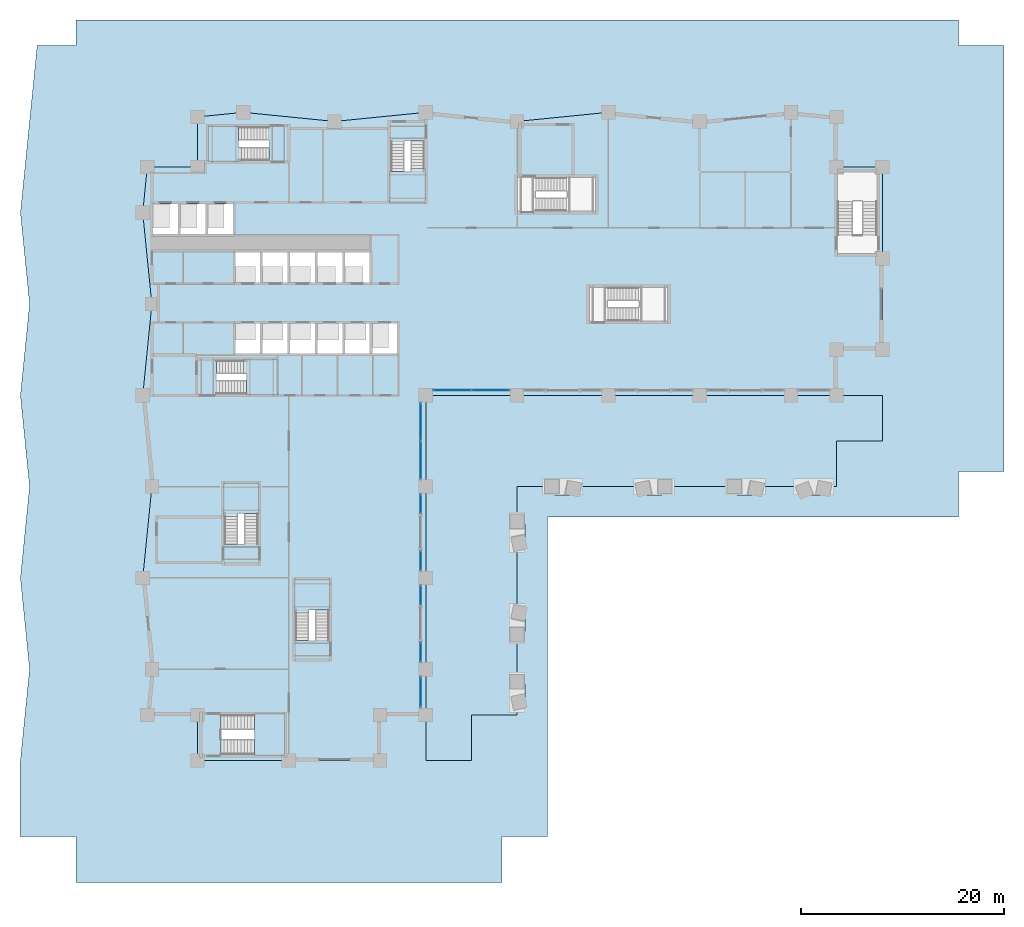
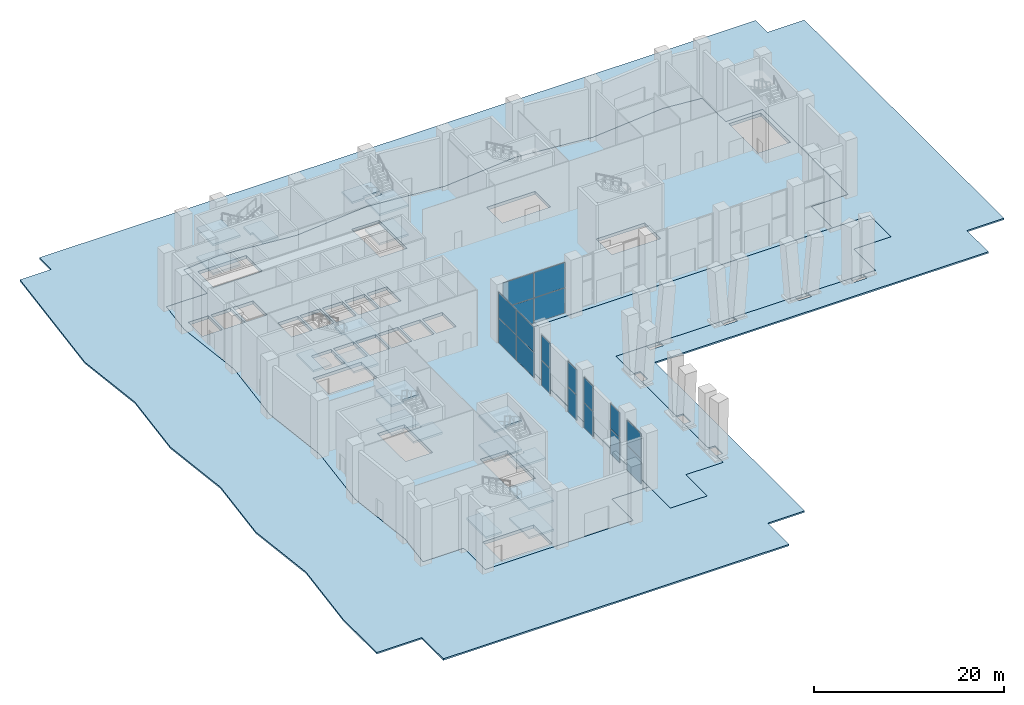
# One storey, part 5 of 16: 21 slabs, 18 plates, 13 elements without a shape of their own.
"""IFC4 building model written with IfcOpenShell, lengths in metres."""

from ifc_helpers import new_model, si_unit, direction, frame, origin, origin_2d, place, context, subcontext, project, spatial, polyline, rectangle, outline, extrude, material, layer, layer_set, type_object, element, aggregate, save


model = new_model("IFC4")

# Units and contexts
model_context = context("Model", 3, precision=1e-05, world=origin(), true_north=direction((0.0, 1.0)))
body_context = subcontext(model_context, "Body", "Model", "MODEL_VIEW")
ifc_project = project(units=[si_unit("LENGTHUNIT", "METRE"), si_unit("AREAUNIT", "SQUARE_METRE"), si_unit("VOLUMEUNIT", "CUBIC_METRE"), si_unit("PLANEANGLEUNIT", "RADIAN"), si_unit("MASSUNIT", "GRAM", prefix="KILO")], contexts=[model_context])

# Site, building, storey
site_placement = place(None, origin())
site = spatial("IfcSite", under=ifc_project, at=site_placement, CompositionType="ELEMENT")
building_placement = place(site_placement, origin())
building = spatial("IfcBuilding", under=site, at=building_placement, Name="Brondeck Convention Tower", CompositionType="ELEMENT")
storey_placement = place(building_placement, origin())
storey = spatial("IfcBuildingStorey", under=building, at=storey_placement, Name="L00", CompositionType="ELEMENT", Elevation=0.0)

# Slab
ifc_material_1 = material(Name="Concrete C40/50", Category="concrete")
ifc_layer_1 = layer(ifc_material_1, 0.39990234375)
ifc_layer_set_1 = layer_set([ifc_layer_1], Name="Arcade deck 400")
slab_type_1 = type_object("IfcSlabType", Name="Arcade deck 400", PredefinedType="FLOOR", material=ifc_layer_set_1)
slab_1_placement = place(storey_placement, frame((0.0, 0.0, -0.39990234375)))
element("IfcSlab", 1, at=slab_1_placement, inside=storey, type_object=slab_type_1, Name="STR-SL-ARC", PredefinedType="FLOOR", context=body_context, shape_type="SweptSolid", body=[
    extrude(outline(polyline([(36.0, 27.0), (36.0, 4.5), (31.5, 4.5), (31.5, 0.0), (27.0, 0.0), (27.0, 4.489990234375), (27.0009765625, 4.489990234375), (27.001953125, 4.490234375), (27.0029296875, 4.490478515625), (27.00390625, 4.49072265625), (27.004638671875, 4.4912109375), (27.005615234375, 4.49169921875), (27.00634765625, 4.4921875), (27.007080078125, 4.492919921875), (27.0078125, 4.49365234375), (27.00830078125, 4.494384765625), (27.0087890625, 4.495361328125), (27.00927734375, 4.49609375), (27.009521484375, 4.4970703125), (27.009765625, 4.498046875), (27.010009765625, 4.4990234375), (27.010009765625, 4.5), (27.010009765625, 35.989990234375), (67.5, 35.989990234375), (67.5009765625, 35.989990234375), (67.501953125, 35.990234375), (67.5029296875, 35.990478515625), (67.50390625, 35.99072265625), (67.504638671875, 35.9912109375), (67.505615234375, 35.99169921875), (67.50634765625, 35.9921875), (67.507080078125, 35.992919921875), (67.5078125, 35.99365234375), (67.50830078125, 35.994384765625), (67.5087890625, 35.995361328125), (67.50927734375, 35.99609375), (67.509521484375, 35.9970703125), (67.509765625, 35.998046875), (67.510009765625, 35.9990234375), (67.510009765625, 36.0), (72.0, 36.0), (72.0, 31.5), (67.5, 31.5), (67.5, 27.0), (36.0, 27.0)])), origin(), (0.0, 0.0, 1.0), 0.39990234375),
])

# Curtain wall, plates
ifc_material_2 = material(Name="Aluminium, bronze anodised", Category="aluminium")
curtain_wall_type = type_object("IfcCurtainWallType", Name="Lobby and concourse curtain wall", PredefinedType="NOTDEFINED", material=ifc_material_2)
curtain_wall_1_placement = place(storey_placement, origin())
curtain_wall_1 = element("IfcCurtainWall", 2, at=curtain_wall_1_placement, inside=storey, type_object=curtain_wall_type, Name="ENV-CW1-L00-B-E-06", PredefinedType="NOTDEFINED")
ifc_material_3 = material(Name="Bronze tinted laminated glass", Category="glass")
ifc_layer_2 = layer(ifc_material_3, 0.010009765625, Name="Outer pane")
ifc_material_4 = material(Name="Argon-filled cavity")
ifc_layer_3 = layer(ifc_material_4, 0.011962890625, Name="Cavity")
ifc_material_5 = material(Name="Clear low-emissivity glass", Category="glass")
ifc_layer_4 = layer(ifc_material_5, 0.010009765625, Name="Inner pane")
ifc_layer_set_2 = layer_set([ifc_layer_2, ifc_layer_3, ifc_layer_4], Name="CW1 glazing panel")
plate_type = type_object("IfcPlateType", Name="CW1 glazing panel", PredefinedType="CURTAIN_PANEL", material=ifc_layer_set_2)
plate_1_placement = place(storey_placement, frame((26.5, 6.75, 0.06005859375), z_axis=(0.0, 0.0, 1.0), x_axis=(0.0, -1.0, 0.0)))
plate_1 = element("IfcPlate", 3, at=plate_1_placement, type_object=plate_type, Name="CW1 panel 1.1", PredefinedType="CURTAIN_PANEL", context=body_context, shape_type="SweptSolid", body=[
    extrude(rectangle(XDim=2.97998046875, YDim=0.031982421875, at=origin_2d()), origin(), (0.0, 0.0, 1.0), 3.2099609375),
])
plate_2_placement = place(storey_placement, frame((26.5, 6.75, 3.330078125), z_axis=(0.0, 0.0, 1.0), x_axis=(0.0, -1.0, 0.0)))
plate_2 = element("IfcPlate", 4, at=plate_2_placement, type_object=plate_type, Name="CW1 panel 1.2", PredefinedType="CURTAIN_PANEL", context=body_context, shape_type="SweptSolid", body=[
    extrude(rectangle(XDim=2.97998046875, YDim=0.031982421875, at=origin_2d()), origin(), (0.0, 0.0, 1.0), 3.2099609375),
])
aggregate(curtain_wall_1, [plate_1, plate_2])

curtain_wall_2_placement = place(storey_placement, origin())
curtain_wall_2 = element("IfcCurtainWall", 5, at=curtain_wall_2_placement, inside=storey, type_object=curtain_wall_type, Name="ENV-CW1-L00-B-E-05a", PredefinedType="NOTDEFINED")
plate_3_placement = place(storey_placement, frame((26.5, 10.699951171875, 0.06005859375), z_axis=(0.0, 0.0, 1.0), x_axis=(0.0, -1.0, 0.0)))
plate_3 = element("IfcPlate", 6, at=plate_3_placement, type_object=plate_type, Name="CW1 panel 1.1", PredefinedType="CURTAIN_PANEL", context=body_context, shape_type="SweptSolid", body=[
    extrude(rectangle(XDim=1.8798828125, YDim=0.031982421875, at=origin_2d()), origin(), (0.0, 0.0, 1.0), 3.2099609375),
])
plate_4_placement = place(storey_placement, frame((26.5, 10.699951171875, 3.330078125), z_axis=(0.0, 0.0, 1.0), x_axis=(0.0, -1.0, 0.0)))
plate_4 = element("IfcPlate", 7, at=plate_4_placement, type_object=plate_type, Name="CW1 panel 1.2", PredefinedType="CURTAIN_PANEL", context=body_context, shape_type="SweptSolid", body=[
    extrude(rectangle(XDim=1.8798828125, YDim=0.031982421875, at=origin_2d()), origin(), (0.0, 0.0, 1.0), 3.2099609375),
])
aggregate(curtain_wall_2, [plate_3, plate_4])

curtain_wall_3_placement = place(storey_placement, origin())
curtain_wall_3 = element("IfcCurtainWall", 8, at=curtain_wall_3_placement, inside=storey, type_object=curtain_wall_type, Name="ENV-CW1-L00-B-E-05b", PredefinedType="NOTDEFINED")
plate_5_placement = place(storey_placement, frame((26.5, 16.300048828125, 0.06005859375), z_axis=(0.0, 0.0, 1.0), x_axis=(0.0, -1.0, 0.0)))
plate_5 = element("IfcPlate", 9, at=plate_5_placement, type_object=plate_type, Name="CW1 panel 1.1", PredefinedType="CURTAIN_PANEL", context=body_context, shape_type="SweptSolid", body=[
    extrude(rectangle(XDim=1.8798828125, YDim=0.031982421875, at=origin_2d()), origin(), (0.0, 0.0, 1.0), 3.2099609375),
])
plate_6_placement = place(storey_placement, frame((26.5, 16.300048828125, 3.330078125), z_axis=(0.0, 0.0, 1.0), x_axis=(0.0, -1.0, 0.0)))
plate_6 = element("IfcPlate", 10, at=plate_6_placement, type_object=plate_type, Name="CW1 panel 1.2", PredefinedType="CURTAIN_PANEL", context=body_context, shape_type="SweptSolid", body=[
    extrude(rectangle(XDim=1.8798828125, YDim=0.031982421875, at=origin_2d()), origin(), (0.0, 0.0, 1.0), 3.2099609375),
])
aggregate(curtain_wall_3, [plate_5, plate_6])

curtain_wall_4_placement = place(storey_placement, origin())
curtain_wall_4 = element("IfcCurtainWall", 11, at=curtain_wall_4_placement, inside=storey, type_object=curtain_wall_type, Name="ENV-CW1-L00-B-E-03a", PredefinedType="NOTDEFINED")
plate_7_placement = place(storey_placement, frame((26.5, 19.699951171875, 0.06005859375), z_axis=(0.0, 0.0, 1.0), x_axis=(0.0, -1.0, 0.0)))
plate_7 = element("IfcPlate", 12, at=plate_7_placement, type_object=plate_type, Name="CW1 panel 1.1", PredefinedType="CURTAIN_PANEL", context=body_context, shape_type="SweptSolid", body=[
    extrude(rectangle(XDim=1.8798828125, YDim=0.031982421875, at=origin_2d()), origin(), (0.0, 0.0, 1.0), 3.2099609375),
])
plate_8_placement = place(storey_placement, frame((26.5, 19.699951171875, 3.330078125), z_axis=(0.0, 0.0, 1.0), x_axis=(0.0, -1.0, 0.0)))
plate_8 = element("IfcPlate", 13, at=plate_8_placement, type_object=plate_type, Name="CW1 panel 1.2", PredefinedType="CURTAIN_PANEL", context=body_context, shape_type="SweptSolid", body=[
    extrude(rectangle(XDim=1.8798828125, YDim=0.031982421875, at=origin_2d()), origin(), (0.0, 0.0, 1.0), 3.2099609375),
])
aggregate(curtain_wall_4, [plate_7, plate_8])

curtain_wall_5_placement = place(storey_placement, origin())
curtain_wall_5 = element("IfcCurtainWall", 14, at=curtain_wall_5_placement, inside=storey, type_object=curtain_wall_type, Name="ENV-CW1-L00-B-E-03b", PredefinedType="NOTDEFINED")
plate_9_placement = place(storey_placement, frame((26.5, 25.300048828125, 0.06005859375), z_axis=(0.0, 0.0, 1.0), x_axis=(0.0, -1.0, 0.0)))
plate_9 = element("IfcPlate", 15, at=plate_9_placement, type_object=plate_type, Name="CW1 panel 1.1", PredefinedType="CURTAIN_PANEL", context=body_context, shape_type="SweptSolid", body=[
    extrude(rectangle(XDim=1.8798828125, YDim=0.031982421875, at=origin_2d()), origin(), (0.0, 0.0, 1.0), 3.2099609375),
])
plate_10_placement = place(storey_placement, frame((26.5, 25.300048828125, 3.330078125), z_axis=(0.0, 0.0, 1.0), x_axis=(0.0, -1.0, 0.0)))
plate_10 = element("IfcPlate", 16, at=plate_10_placement, type_object=plate_type, Name="CW1 panel 1.2", PredefinedType="CURTAIN_PANEL", context=body_context, shape_type="SweptSolid", body=[
    extrude(rectangle(XDim=1.8798828125, YDim=0.031982421875, at=origin_2d()), origin(), (0.0, 0.0, 1.0), 3.2099609375),
])
aggregate(curtain_wall_5, [plate_9, plate_10])

curtain_wall_6_placement = place(storey_placement, origin())
curtain_wall_6 = element("IfcCurtainWall", 17, at=curtain_wall_6_placement, inside=storey, type_object=curtain_wall_type, Name="ENV-CW1-L00-B-E-01", PredefinedType="NOTDEFINED")
plate_11_placement = place(storey_placement, frame((26.5, 33.385009765625, 0.06005859375), z_axis=(0.0, 0.0, 1.0), x_axis=(0.0, -1.0, 0.0)))
plate_11 = element("IfcPlate", 18, at=plate_11_placement, type_object=plate_type, Name="CW1 panel 1.1", PredefinedType="CURTAIN_PANEL", context=body_context, shape_type="SweptSolid", body=[
    extrude(rectangle(XDim=3.7099609375, YDim=0.031982421875, at=origin_2d()), origin(), (0.0, 0.0, 1.0), 3.2099609375),
])
plate_12_placement = place(storey_placement, frame((26.5, 33.385009765625, 3.330078125), z_axis=(0.0, 0.0, 1.0), x_axis=(0.0, -1.0, 0.0)))
plate_12 = element("IfcPlate", 19, at=plate_12_placement, type_object=plate_type, Name="CW1 panel 1.2", PredefinedType="CURTAIN_PANEL", context=body_context, shape_type="SweptSolid", body=[
    extrude(rectangle(XDim=3.7099609375, YDim=0.031982421875, at=origin_2d()), origin(), (0.0, 0.0, 1.0), 3.2099609375),
])
plate_13_placement = place(storey_placement, frame((26.5, 29.614990234375, 0.06005859375), z_axis=(0.0, 0.0, 1.0), x_axis=(0.0, -1.0, 0.0)))
plate_13 = element("IfcPlate", 20, at=plate_13_placement, type_object=plate_type, Name="CW1 panel 2.1", PredefinedType="CURTAIN_PANEL", context=body_context, shape_type="SweptSolid", body=[
    extrude(rectangle(XDim=3.7099609375, YDim=0.031982421875, at=origin_2d()), origin(), (0.0, 0.0, 1.0), 3.2099609375),
])
plate_14_placement = place(storey_placement, frame((26.5, 29.614990234375, 3.330078125), z_axis=(0.0, 0.0, 1.0), x_axis=(0.0, -1.0, 0.0)))
plate_14 = element("IfcPlate", 21, at=plate_14_placement, type_object=plate_type, Name="CW1 panel 2.2", PredefinedType="CURTAIN_PANEL", context=body_context, shape_type="SweptSolid", body=[
    extrude(rectangle(XDim=3.7099609375, YDim=0.031982421875, at=origin_2d()), origin(), (0.0, 0.0, 1.0), 3.2099609375),
])
aggregate(curtain_wall_6, [plate_11, plate_12, plate_13, plate_14])

curtain_wall_7_placement = place(storey_placement, origin())
curtain_wall_7 = element("IfcCurtainWall", 22, at=curtain_wall_7_placement, inside=storey, type_object=curtain_wall_type, Name="ENV-CW1-L00-A-S-01", PredefinedType="NOTDEFINED")
plate_15_placement = place(storey_placement, frame((33.385009765625, 36.5, 0.06005859375), z_axis=(0.0, 0.0, 1.0), x_axis=(-1.0, 0.0, 0.0)))
plate_15 = element("IfcPlate", 23, at=plate_15_placement, type_object=plate_type, Name="CW1 panel 1.1", PredefinedType="CURTAIN_PANEL", context=body_context, shape_type="SweptSolid", body=[
    extrude(rectangle(XDim=3.7099609375, YDim=0.031982421875, at=origin_2d()), origin(), (0.0, 0.0, 1.0), 3.2099609375),
])
plate_16_placement = place(storey_placement, frame((33.385009765625, 36.5, 3.330078125), z_axis=(0.0, 0.0, 1.0), x_axis=(-1.0, 0.0, 0.0)))
plate_16 = element("IfcPlate", 24, at=plate_16_placement, type_object=plate_type, Name="CW1 panel 1.2", PredefinedType="CURTAIN_PANEL", context=body_context, shape_type="SweptSolid", body=[
    extrude(rectangle(XDim=3.7099609375, YDim=0.031982421875, at=origin_2d()), origin(), (0.0, 0.0, 1.0), 3.2099609375),
])
plate_17_placement = place(storey_placement, frame((29.614990234375, 36.5, 0.06005859375), z_axis=(0.0, 0.0, 1.0), x_axis=(-1.0, 0.0, 0.0)))
plate_17 = element("IfcPlate", 25, at=plate_17_placement, type_object=plate_type, Name="CW1 panel 2.1", PredefinedType="CURTAIN_PANEL", context=body_context, shape_type="SweptSolid", body=[
    extrude(rectangle(XDim=3.7099609375, YDim=0.031982421875, at=origin_2d()), origin(), (0.0, 0.0, 1.0), 3.2099609375),
])
plate_18_placement = place(storey_placement, frame((29.614990234375, 36.5, 3.330078125), z_axis=(0.0, 0.0, 1.0), x_axis=(-1.0, 0.0, 0.0)))
plate_18 = element("IfcPlate", 26, at=plate_18_placement, type_object=plate_type, Name="CW1 panel 2.2", PredefinedType="CURTAIN_PANEL", context=body_context, shape_type="SweptSolid", body=[
    extrude(rectangle(XDim=3.7099609375, YDim=0.031982421875, at=origin_2d()), origin(), (0.0, 0.0, 1.0), 3.2099609375),
])
aggregate(curtain_wall_7, [plate_15, plate_16, plate_17, plate_18])

# Stair, slabs
ifc_material_6 = material(Name="Precast concrete C50/60", Category="concrete")
stair_type_1 = type_object("IfcStairType", Name="Core stair 44 risers 170.45 mm riser 300 mm going 1350 wide", PredefinedType="HALF_TURN_STAIR", material=ifc_material_6)
stair_1_placement = place(storey_placement, origin())
stair_1 = element("IfcStair", 27, at=stair_1_placement, inside=storey, type_object=stair_type_1, Name="ST-1 L00 stair", PredefinedType="HALF_TURN_STAIR")
ifc_layer_5 = layer(ifc_material_6, 0.25)
ifc_layer_set_3 = layer_set([ifc_layer_5], Name="Core stair landing 250 Precast concrete C50/60")
slab_type_2 = type_object("IfcSlabType", Name="Core stair landing 250 Precast concrete C50/60", PredefinedType="LANDING", material=ifc_layer_set_3)
slab_2_placement = place(storey_placement, frame((0.0, 0.0, 1.625)))
slab_2 = element("IfcSlab", 28, at=slab_2_placement, type_object=slab_type_2, Name="ST-1 landing 1", PredefinedType="LANDING", context=body_context, shape_type="SweptSolid", body=[
    extrude(outline(polyline([(9.347900390625, 37.5), (9.35009765625, 37.5), (9.35009765625, 38.10009765625), (9.050048828125, 38.10009765625), (9.050048828125, 39.570068359375), (12.3701171875, 39.570068359375), (12.3701171875, 36.030029296875), (9.347900390625, 36.030029296875), (9.347900390625, 37.5)])), origin(), (0.0, 0.0, 1.0), 0.25),
])
slab_3_placement = place(storey_placement, frame((0.0, 0.0, 3.5)))
slab_3 = element("IfcSlab", 29, at=slab_3_placement, type_object=slab_type_2, Name="ST-1 landing 2", PredefinedType="LANDING", context=body_context, shape_type="SweptSolid", body=[
    extrude(outline(polyline([(6.64990234375, 37.5), (6.64990234375, 36.030029296875), (4.429931640625, 36.030029296875), (4.429931640625, 39.570068359375), (6.35205078125, 39.570068359375), (6.35205078125, 38.10009765625), (6.35009765625, 38.10009765625), (6.35009765625, 37.5), (6.64990234375, 37.5)])), origin(), (0.0, 0.0, 1.0), 0.25),
])
slab_4_placement = place(storey_placement, frame((0.0, 0.0, 5.375)))
slab_4 = element("IfcSlab", 30, at=slab_4_placement, type_object=slab_type_2, Name="ST-1 landing 3", PredefinedType="LANDING", context=body_context, shape_type="SweptSolid", body=[
    extrude(outline(polyline([(9.347900390625, 37.5), (9.35009765625, 37.5), (9.35009765625, 38.10009765625), (9.050048828125, 38.10009765625), (9.050048828125, 39.570068359375), (12.3701171875, 39.570068359375), (12.3701171875, 36.030029296875), (9.347900390625, 36.030029296875), (9.347900390625, 37.5)])), origin(), (0.0, 0.0, 1.0), 0.25),
])
aggregate(stair_1, [slab_2, slab_3, slab_4])

stair_2_placement = place(storey_placement, origin())
stair_2 = element("IfcStair", 31, at=stair_2_placement, inside=storey, type_object=stair_type_1, Name="ST-2 L00 stair", PredefinedType="HALF_TURN_STAIR")
slab_5_placement = place(storey_placement, frame((0.0, 0.0, 1.625)))
slab_5 = element("IfcSlab", 32, at=slab_5_placement, type_object=slab_type_2, Name="ST-2 landing 1", PredefinedType="LANDING", context=body_context, shape_type="SweptSolid", body=[
    extrude(outline(polyline([(23.429931640625, 58.052001953125), (24.89990234375, 58.052001953125), (24.89990234375, 58.050048828125), (25.5, 58.050048828125), (25.5, 58.35009765625), (26.969970703125, 58.35009765625), (26.969970703125, 55.030029296875), (23.429931640625, 55.030029296875), (23.429931640625, 58.052001953125)])), origin(), (0.0, 0.0, 1.0), 0.25),
])
slab_6_placement = place(storey_placement, frame((0.0, 0.0, 3.5)))
slab_6 = element("IfcSlab", 33, at=slab_6_placement, type_object=slab_type_2, Name="ST-2 landing 2", PredefinedType="LANDING", context=body_context, shape_type="SweptSolid", body=[
    extrude(outline(polyline([(23.429931640625, 62.969970703125), (26.969970703125, 62.969970703125), (26.969970703125, 61.048095703125), (25.5, 61.048095703125), (25.5, 61.050048828125), (24.89990234375, 61.050048828125), (24.89990234375, 60.75), (23.429931640625, 60.75), (23.429931640625, 62.969970703125)])), origin(), (0.0, 0.0, 1.0), 0.25),
])
slab_7_placement = place(storey_placement, frame((0.0, 0.0, 5.375)))
slab_7 = element("IfcSlab", 34, at=slab_7_placement, type_object=slab_type_2, Name="ST-2 landing 3", PredefinedType="LANDING", context=body_context, shape_type="SweptSolid", body=[
    extrude(outline(polyline([(23.429931640625, 58.052001953125), (24.89990234375, 58.052001953125), (24.89990234375, 58.050048828125), (25.5, 58.050048828125), (25.5, 58.35009765625), (26.969970703125, 58.35009765625), (26.969970703125, 55.030029296875), (23.429931640625, 55.030029296875), (23.429931640625, 58.052001953125)])), origin(), (0.0, 0.0, 1.0), 0.25),
])
aggregate(stair_2, [slab_5, slab_6, slab_7])

stair_3_placement = place(storey_placement, origin())
stair_3 = element("IfcStair", 35, at=stair_3_placement, inside=storey, type_object=stair_type_1, Name="ST-3 L00 stair", PredefinedType="HALF_TURN_STAIR")
slab_8_placement = place(storey_placement, frame((0.0, 0.0, 1.625)))
slab_8 = element("IfcSlab", 36, at=slab_8_placement, type_object=slab_type_2, Name="ST-3 landing 1", PredefinedType="LANDING", context=body_context, shape_type="SweptSolid", body=[
    extrude(outline(polyline([(8.85009765625, 60.5), (8.85009765625, 59.030029296875), (5.530029296875, 59.030029296875), (5.530029296875, 62.570068359375), (8.552001953125, 62.570068359375), (8.552001953125, 61.10009765625), (8.550048828125, 61.10009765625), (8.550048828125, 60.5), (8.85009765625, 60.5)])), origin(), (0.0, 0.0, 1.0), 0.25),
])
slab_9_placement = place(storey_placement, frame((0.0, 0.0, 3.5)))
slab_9 = element("IfcSlab", 37, at=slab_9_placement, type_object=slab_type_2, Name="ST-3 landing 2", PredefinedType="LANDING", context=body_context, shape_type="SweptSolid", body=[
    extrude(outline(polyline([(11.548095703125, 60.5), (11.550048828125, 60.5), (11.550048828125, 61.10009765625), (11.25, 61.10009765625), (11.25, 62.570068359375), (13.469970703125, 62.570068359375), (13.469970703125, 59.030029296875), (11.548095703125, 59.030029296875), (11.548095703125, 60.5)])), origin(), (0.0, 0.0, 1.0), 0.25),
])
slab_10_placement = place(storey_placement, frame((0.0, 0.0, 5.375)))
slab_10 = element("IfcSlab", 38, at=slab_10_placement, type_object=slab_type_2, Name="ST-3 landing 3", PredefinedType="LANDING", context=body_context, shape_type="SweptSolid", body=[
    extrude(outline(polyline([(8.85009765625, 60.5), (8.85009765625, 59.030029296875), (5.530029296875, 59.030029296875), (5.530029296875, 62.570068359375), (8.552001953125, 62.570068359375), (8.552001953125, 61.10009765625), (8.550048828125, 61.10009765625), (8.550048828125, 60.5), (8.85009765625, 60.5)])), origin(), (0.0, 0.0, 1.0), 0.25),
])
aggregate(stair_3, [slab_8, slab_9, slab_10])

stair_4_placement = place(storey_placement, origin())
stair_4 = element("IfcStair", 39, at=stair_4_placement, inside=storey, type_object=stair_type_1, Name="ST-BE L00 stair", PredefinedType="HALF_TURN_STAIR")
slab_11_placement = place(storey_placement, frame((0.0, 0.0, 1.625)))
slab_11 = element("IfcSlab", 40, at=slab_11_placement, type_object=slab_type_2, Name="ST-BE landing 1", PredefinedType="LANDING", context=body_context, shape_type="SweptSolid", body=[
    extrude(outline(polyline([(7.030029296875, 24.050048828125), (7.030029296875, 27.3701171875), (10.570068359375, 27.3701171875), (10.570068359375, 24.347900390625), (9.10009765625, 24.347900390625), (9.10009765625, 24.35009765625), (8.5, 24.35009765625), (8.5, 24.050048828125), (7.030029296875, 24.050048828125)])), origin(), (0.0, 0.0, 1.0), 0.25),
])
slab_12_placement = place(storey_placement, frame((0.0, 0.0, 3.5)))
slab_12 = element("IfcSlab", 41, at=slab_12_placement, type_object=slab_type_2, Name="ST-BE landing 2", PredefinedType="LANDING", context=body_context, shape_type="SweptSolid", body=[
    extrude(outline(polyline([(10.570068359375, 19.429931640625), (7.030029296875, 19.429931640625), (7.030029296875, 21.35205078125), (8.5, 21.35205078125), (8.5, 21.35009765625), (9.10009765625, 21.35009765625), (9.10009765625, 21.64990234375), (10.570068359375, 21.64990234375), (10.570068359375, 19.429931640625)])), origin(), (0.0, 0.0, 1.0), 0.25),
])
slab_13_placement = place(storey_placement, frame((0.0, 0.0, 5.375)))
slab_13 = element("IfcSlab", 42, at=slab_13_placement, type_object=slab_type_2, Name="ST-BE landing 3", PredefinedType="LANDING", context=body_context, shape_type="SweptSolid", body=[
    extrude(outline(polyline([(7.030029296875, 24.050048828125), (7.030029296875, 27.3701171875), (10.570068359375, 27.3701171875), (10.570068359375, 24.347900390625), (9.10009765625, 24.347900390625), (9.10009765625, 24.35009765625), (8.5, 24.35009765625), (8.5, 24.050048828125), (7.030029296875, 24.050048828125)])), origin(), (0.0, 0.0, 1.0), 0.25),
])
aggregate(stair_4, [slab_11, slab_12, slab_13])

stair_5_placement = place(storey_placement, origin())
stair_5 = element("IfcStair", 43, at=stair_5_placement, inside=storey, type_object=stair_type_1, Name="ST-BF L00 stair", PredefinedType="HALF_TURN_STAIR")
slab_14_placement = place(storey_placement, frame((0.0, 0.0, 1.625)))
slab_14 = element("IfcSlab", 44, at=slab_14_placement, type_object=slab_type_2, Name="ST-BF landing 1", PredefinedType="LANDING", context=body_context, shape_type="SweptSolid", body=[
    extrude(outline(polyline([(14.030029296875, 14.550048828125), (14.030029296875, 17.8701171875), (17.570068359375, 17.8701171875), (17.570068359375, 14.847900390625), (16.10009765625, 14.847900390625), (16.10009765625, 14.85009765625), (15.5, 14.85009765625), (15.5, 14.550048828125), (14.030029296875, 14.550048828125)])), origin(), (0.0, 0.0, 1.0), 0.25),
])
slab_15_placement = place(storey_placement, frame((0.0, 0.0, 3.5)))
slab_15 = element("IfcSlab", 45, at=slab_15_placement, type_object=slab_type_2, Name="ST-BF landing 2", PredefinedType="LANDING", context=body_context, shape_type="SweptSolid", body=[
    extrude(outline(polyline([(17.570068359375, 9.929931640625), (14.030029296875, 9.929931640625), (14.030029296875, 11.85205078125), (15.5, 11.85205078125), (15.5, 11.85009765625), (16.10009765625, 11.85009765625), (16.10009765625, 12.14990234375), (17.570068359375, 12.14990234375), (17.570068359375, 9.929931640625)])), origin(), (0.0, 0.0, 1.0), 0.25),
])
slab_16_placement = place(storey_placement, frame((0.0, 0.0, 5.375)))
slab_16 = element("IfcSlab", 46, at=slab_16_placement, type_object=slab_type_2, Name="ST-BF landing 3", PredefinedType="LANDING", context=body_context, shape_type="SweptSolid", body=[
    extrude(outline(polyline([(14.030029296875, 14.550048828125), (14.030029296875, 17.8701171875), (17.570068359375, 17.8701171875), (17.570068359375, 14.847900390625), (16.10009765625, 14.847900390625), (16.10009765625, 14.85009765625), (15.5, 14.85009765625), (15.5, 14.550048828125), (14.030029296875, 14.550048828125)])), origin(), (0.0, 0.0, 1.0), 0.25),
])
aggregate(stair_5, [slab_14, slab_15, slab_16])

stair_type_2 = type_object("IfcStairType", Name="Core stair 44 risers 170.45 mm riser 330 mm going 1500 wide", PredefinedType="HALF_TURN_STAIR", material=ifc_material_6)
stair_6_placement = place(storey_placement, origin())
stair_6 = element("IfcStair", 47, at=stair_6_placement, inside=storey, type_object=stair_type_2, Name="PS-2 L00 stair", PredefinedType="HALF_TURN_STAIR")
slab_17_placement = place(storey_placement, frame((0.0, 0.0, 1.625)))
slab_17 = element("IfcSlab", 48, at=slab_17_placement, type_object=slab_type_2, Name="PS-2 landing 1", PredefinedType="LANDING", context=body_context, shape_type="SweptSolid", body=[
    extrude(outline(polyline([(10.097900390625, 0.47998046875), (10.097900390625, 2.10009765625), (10.10009765625, 2.10009765625), (10.10009765625, 3.0), (10.097900390625, 3.0), (10.097900390625, 4.6201171875), (13.1201171875, 4.6201171875), (13.1201171875, 0.47998046875), (10.097900390625, 0.47998046875)])), origin(), (0.0, 0.0, 1.0), 0.25),
])
slab_18_placement = place(storey_placement, frame((0.0, 0.0, 3.5)))
slab_18 = element("IfcSlab", 49, at=slab_18_placement, type_object=slab_type_2, Name="PS-2 landing 2", PredefinedType="LANDING", context=body_context, shape_type="SweptSolid", body=[
    extrude(outline(polyline([(4.8798828125, 0.47998046875), (4.8798828125, 4.6201171875), (6.802001953125, 4.6201171875), (6.802001953125, 3.0), (6.800048828125, 3.0), (6.800048828125, 2.10009765625), (6.802001953125, 2.10009765625), (6.802001953125, 0.47998046875), (4.8798828125, 0.47998046875)])), origin(), (0.0, 0.0, 1.0), 0.25),
])
slab_19_placement = place(storey_placement, frame((0.0, 0.0, 5.375)))
slab_19 = element("IfcSlab", 50, at=slab_19_placement, type_object=slab_type_2, Name="PS-2 landing 3", PredefinedType="LANDING", context=body_context, shape_type="SweptSolid", body=[
    extrude(outline(polyline([(10.097900390625, 0.47998046875), (10.097900390625, 2.10009765625), (10.10009765625, 2.10009765625), (10.10009765625, 3.0), (10.097900390625, 3.0), (10.097900390625, 4.6201171875), (13.1201171875, 4.6201171875), (13.1201171875, 0.47998046875), (10.097900390625, 0.47998046875)])), origin(), (0.0, 0.0, 1.0), 0.25),
])
aggregate(stair_6, [slab_17, slab_18, slab_19])

# Slabs
ifc_layer_6 = layer(ifc_material_1, 0.39990234375)
ifc_layer_set_4 = layer_set([ifc_layer_6], Name="Flat slab 400")
slab_type_3 = type_object("IfcSlabType", Name="Flat slab 400", PredefinedType="FLOOR", material=ifc_layer_set_4)
slab_20_placement = place(storey_placement, frame((0.0, 0.0, -0.39990234375)))
element("IfcSlab", 51, at=slab_20_placement, inside=storey, type_object=slab_type_3, Name="STR-SL-L00", PredefinedType="FLOOR", context=body_context, shape_type="SweptSolid", body=[
    extrude(outline(polyline([(4.5, 4.5), (-0.449951171875, 4.5), (0.0, 9.0), (-0.89990234375, 18.0), (0.0, 27.0), (-0.89990234375, 36.0), (0.0, 45.0), (-0.89990234375, 54.0), (-0.449951171875, 58.5), (4.5, 58.5), (4.5, 63.449951171875), (9.0, 63.89990234375), (18.0, 63.0), (27.0, 63.89990234375), (36.0, 63.0), (45.0, 63.89990234375), (54.0, 63.0), (63.0, 63.89990234375), (67.5, 63.449951171875), (67.5, 58.5), (72.0, 58.5), (72.0, 40.5), (67.5, 40.5), (67.5, 36.0), (27.0, 36.0), (27.0, 4.5), (22.5, 4.5), (22.5, 0.0), (4.5, 0.0), (4.5, 4.5)]), holes=[polyline([(12.998046875, 0.60205078125), (12.998046875, 4.498046875), (6.802001953125, 4.498046875), (6.802001953125, 0.60205078125), (12.998046875, 0.60205078125)]), polyline([(10.447998046875, 27.248046875), (7.152099609375, 27.248046875), (7.152099609375, 21.35205078125), (10.447998046875, 21.35205078125), (10.447998046875, 27.248046875)]), polyline([(12.248046875, 36.152099609375), (12.248046875, 39.447998046875), (6.35205078125, 39.447998046875), (6.35205078125, 36.152099609375), (12.248046875, 36.152099609375)]), polyline([(8.22509765625, 40.125), (10.675048828125, 40.125), (10.675048828125, 43.074951171875), (8.22509765625, 43.074951171875), (8.22509765625, 40.125)]), polyline([(10.925048828125, 40.125), (13.375, 40.125), (13.375, 43.074951171875), (10.925048828125, 43.074951171875), (10.925048828125, 40.125)]), polyline([(10.675048828125, 47.125), (10.675048828125, 50.074951171875), (8.22509765625, 50.074951171875), (8.22509765625, 47.125), (10.675048828125, 47.125)]), polyline([(10.925048828125, 47.125), (13.375, 47.125), (13.375, 50.074951171875), (10.925048828125, 50.074951171875), (10.925048828125, 47.125)]), polyline([(13.625, 47.125), (16.074951171875, 47.125), (16.074951171875, 50.074951171875), (13.625, 50.074951171875), (13.625, 47.125)]), polyline([(2.574951171875, 51.925048828125), (2.574951171875, 54.875), (0.125, 54.875), (0.125, 51.925048828125), (2.574951171875, 51.925048828125)]), polyline([(2.824951171875, 51.925048828125), (5.27490234375, 51.925048828125), (5.27490234375, 54.875), (2.824951171875, 54.875), (2.824951171875, 51.925048828125)]), polyline([(5.52490234375, 51.925048828125), (7.97509765625, 51.925048828125), (7.97509765625, 54.875), (5.52490234375, 54.875), (5.52490234375, 51.925048828125)]), polyline([(5.652099609375, 62.447998046875), (5.652099609375, 59.152099609375), (11.548095703125, 59.152099609375), (11.548095703125, 62.447998046875), (5.652099609375, 62.447998046875)]), polyline([(17.447998046875, 11.85205078125), (17.447998046875, 17.748046875), (14.152099609375, 17.748046875), (14.152099609375, 11.85205078125), (17.447998046875, 11.85205078125)]), polyline([(13.625, 40.125), (16.074951171875, 40.125), (16.074951171875, 43.074951171875), (13.625, 43.074951171875), (13.625, 40.125)]), polyline([(18.77490234375, 40.125), (18.77490234375, 43.074951171875), (16.324951171875, 43.074951171875), (16.324951171875, 40.125), (18.77490234375, 40.125)]), polyline([(19.02490234375, 40.125), (21.47509765625, 40.125), (21.47509765625, 43.074951171875), (19.02490234375, 43.074951171875), (19.02490234375, 40.125)]), polyline([(21.72509765625, 40.125), (24.175048828125, 40.125), (24.175048828125, 43.074951171875), (21.72509765625, 43.074951171875), (21.72509765625, 40.125)]), polyline([(50.847900390625, 43.35205078125), (50.847900390625, 46.64794921875), (44.951904296875, 46.64794921875), (44.951904296875, 43.35205078125), (50.847900390625, 43.35205078125)]), polyline([(16.324951171875, 47.125), (18.77490234375, 47.125), (18.77490234375, 50.074951171875), (16.324951171875, 50.074951171875), (16.324951171875, 47.125)]), polyline([(19.02490234375, 47.125), (21.47509765625, 47.125), (21.47509765625, 50.074951171875), (19.02490234375, 50.074951171875), (19.02490234375, 47.125)]), polyline([(71.498046875, 57.998046875), (67.60205078125, 57.998046875), (67.60205078125, 51.802001953125), (71.498046875, 51.802001953125), (71.498046875, 57.998046875)]), polyline([(37.85205078125, 54.152099609375), (43.748046875, 54.152099609375), (43.748046875, 57.447998046875), (37.85205078125, 57.447998046875), (37.85205078125, 54.152099609375)]), polyline([(23.552001953125, 61.048095703125), (23.552001953125, 55.152099609375), (26.847900390625, 55.152099609375), (26.847900390625, 61.048095703125), (23.552001953125, 61.048095703125)])]), origin(), (0.0, 0.0, 1.0), 0.39990234375),
])
ifc_material_7 = material(Name="Granite paving on Concrete C35/45", Category="masonry")
ifc_layer_7 = layer(ifc_material_7, 0.199951171875)
ifc_layer_set_5 = layer_set([ifc_layer_7], Name="Plaza paving slab")
slab_type_4 = type_object("IfcSlabType", Name="Plaza paving slab", PredefinedType="USERDEFINED", material=ifc_layer_set_5)
slab_21_placement = place(storey_placement, frame((0.0, 0.0, -0.199951171875)))
element("IfcSlab", 52, at=slab_21_placement, inside=storey, type_object=slab_type_4, Name="ENV-PAVING-01", ObjectType="PAVING", PredefinedType="USERDEFINED", context=body_context, shape_type="SweptSolid", body=[
    extrude(outline(polyline([(-12.059814453125, 9.0), (-13.0, -0.401611328125), (-13.0, -7.5), (-7.5, -7.5), (-7.5, -12.0), (34.5, -12.0), (34.5, -7.5), (39.0, -7.5), (39.0, 24.0), (79.5, 24.0), (79.5, 28.5), (84.0, 28.5), (84.0, 70.5), (79.5, 70.5), (79.5, 73.0), (-7.5, 73.0), (-7.5, 70.5), (-11.309814453125, 70.5), (-12.9599609375, 54.0), (-12.059814453125, 45.0), (-12.9599609375, 36.0), (-12.059814453125, 27.0), (-12.9599609375, 18.0), (-12.059814453125, 9.0)]), holes=[polyline([(27.0, 36.0), (27.0, 4.5), (22.5, 4.5), (22.5, 0.0), (4.5, 0.0), (4.5, 4.5), (-0.449951171875, 4.5), (0.0, 9.0), (-0.89990234375, 18.0), (0.0, 27.0), (-0.89990234375, 36.0), (0.0, 45.0), (-0.89990234375, 54.0), (-0.449951171875, 58.5), (4.5, 58.5), (4.5, 63.449951171875), (9.0, 63.89990234375), (18.0, 63.0), (27.0, 63.89990234375), (36.0, 63.0), (45.0, 63.89990234375), (54.0, 63.0), (63.0, 63.89990234375), (67.5, 63.449951171875), (67.5, 58.5), (72.0, 58.5), (72.0, 40.5), (67.5, 40.5), (67.5, 36.0), (27.0, 36.0)]), polyline([(36.800048828125, 5.949951171875), (36.0, 5.949951171875), (36.0, 4.5), (31.5, 4.5), (31.5, 0.0), (27.0, 0.0), (27.0, 4.489990234375), (27.0009765625, 4.489990234375), (27.001953125, 4.490234375), (27.0029296875, 4.490478515625), (27.00390625, 4.49072265625), (27.004638671875, 4.4912109375), (27.005615234375, 4.49169921875), (27.00634765625, 4.4921875), (27.007080078125, 4.492919921875), (27.0078125, 4.49365234375), (27.00830078125, 4.494384765625), (27.0087890625, 4.495361328125), (27.00927734375, 4.49609375), (27.009521484375, 4.4970703125), (27.009765625, 4.498046875), (27.010009765625, 4.4990234375), (27.010009765625, 4.5), (27.010009765625, 35.989990234375), (67.5, 35.989990234375), (67.5009765625, 35.989990234375), (67.501953125, 35.990234375), (67.5029296875, 35.990478515625), (67.50390625, 35.99072265625), (67.504638671875, 35.9912109375), (67.505615234375, 35.99169921875), (67.50634765625, 35.9921875), (67.507080078125, 35.992919921875), (67.5078125, 35.99365234375), (67.50830078125, 35.994384765625), (67.5087890625, 35.995361328125), (67.50927734375, 35.99609375), (67.509521484375, 35.9970703125), (67.509765625, 35.998046875), (67.510009765625, 35.9990234375), (67.510009765625, 36.0), (72.0, 36.0), (72.0, 31.5), (67.5, 31.5), (67.5, 27.0), (66.050048828125, 27.0), (66.050048828125, 26.199951171875), (64.449951171875, 26.199951171875), (64.449951171875, 27.0), (59.300048828125, 27.0), (59.300048828125, 26.199951171875), (57.699951171875, 26.199951171875), (57.699951171875, 27.0), (50.300048828125, 27.0), (50.300048828125, 26.199951171875), (48.699951171875, 26.199951171875), (48.699951171875, 27.0), (41.300048828125, 27.0), (41.300048828125, 26.199951171875), (39.699951171875, 26.199951171875), (39.699951171875, 27.0), (36.0, 27.0), (36.0, 23.300048828125), (36.800048828125, 23.300048828125), (36.800048828125, 21.699951171875), (36.0, 21.699951171875), (36.0, 14.300048828125), (36.800048828125, 14.300048828125), (36.800048828125, 12.699951171875), (36.0, 12.699951171875), (36.0, 7.550048828125), (36.800048828125, 7.550048828125), (36.800048828125, 5.949951171875)])]), origin(), (0.0, 0.0, 1.0), 0.199951171875),
])

save(model, "model.ifc")
